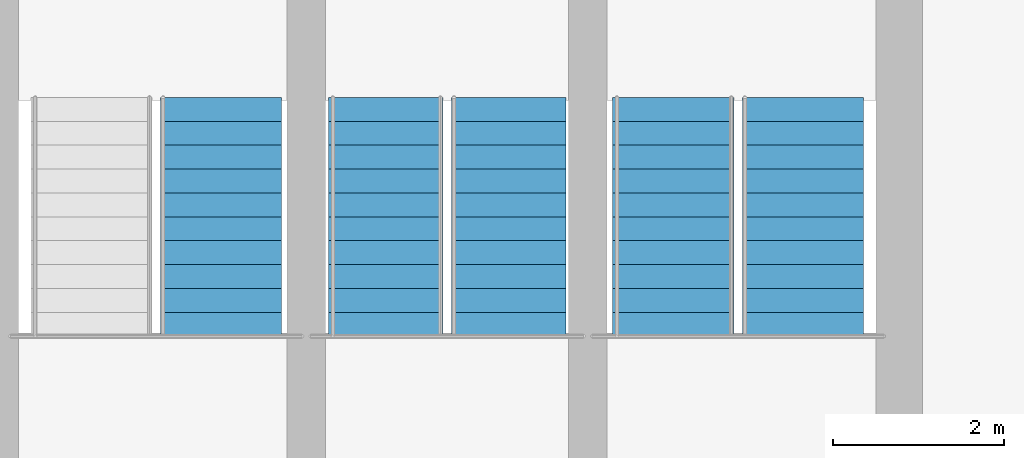
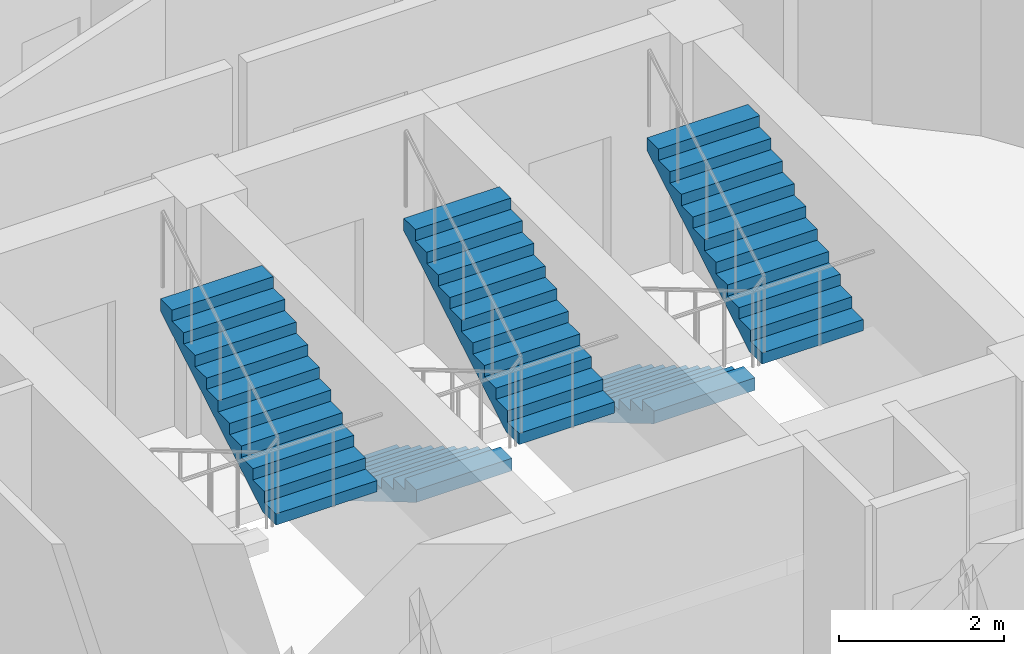
# One storey, part 26 of 27: 5 stair flights, 3 elements without a shape of their own.
"""IFC4 building model written with IfcOpenShell, lengths in metres."""

from ifc_helpers import new_model, si_unit, direction, frame, origin, place, context, subcontext, project, spatial, polyline, outline, extrude, material, type_object, element, aggregate, save


model = new_model("IFC4")

# Units and contexts
model_context = context("Model", 3, precision=1e-05, world=origin(), true_north=direction((0.0, 1.0)))
body_context = subcontext(model_context, "Body", "Model", "MODEL_VIEW")
ifc_project = project(units=[si_unit("LENGTHUNIT", "METRE"), si_unit("AREAUNIT", "SQUARE_METRE"), si_unit("VOLUMEUNIT", "CUBIC_METRE"), si_unit("PLANEANGLEUNIT", "RADIAN"), si_unit("MASSUNIT", "GRAM", prefix="KILO")], contexts=[model_context])

# Site, building, storey
site_placement = place(None, origin())
site = spatial("IfcSite", under=ifc_project, at=site_placement, CompositionType="ELEMENT")
building_placement = place(site_placement, origin())
building = spatial("IfcBuilding", under=site, at=building_placement, Name="Nuhasar Tower", CompositionType="ELEMENT")
storey_placement = place(building_placement, frame((0.0, 0.0, 241.0)))
storey = spatial("IfcBuildingStorey", under=building, at=storey_placement, Name="L59", CompositionType="ELEMENT", Elevation=241.0)

# Stair, stair flight
ifc_material = material(Name="Concrete C45/55", Category="concrete")
stair_type_1 = type_object("IfcStairType", Name="STR-ST-01-2F-22R-1659", PredefinedType="HALF_TURN_STAIR", material=ifc_material)
stair_1_placement = place(storey_placement, origin())
stair_1 = element("IfcStair", 1, at=stair_1_placement, inside=storey, type_object=stair_type_1, Name="L59 Exit Stair ST-01", PredefinedType="HALF_TURN_STAIR")
stair_flight_type_1 = type_object("IfcStairFlightType", Name="SFL-ST-01-11R-1659", PredefinedType="STRAIGHT", material=ifc_material)
stair_flight_1_placement = place(storey_placement, frame((36.35009765625, 32.485107421875, 1.824951171875), z_axis=(0.0, 0.0, 1.0), x_axis=(0.0, 1.0, 0.0)))
stair_flight_1 = element("IfcStairFlight", 2, at=stair_flight_1_placement, type_object=stair_flight_type_1, Name="ST-01 flight 2", NumberOfRisers=11, NumberOfTreads=10, PredefinedType="STRAIGHT", RiserHeight=0.165909, TreadLength=0.28, context=body_context, shape_type="SweptSolid", body=[
    extrude(outline(polyline([(0.0, 0.0), (0.0, 0.166015625), (0.280029296875, 0.166015625), (0.280029296875, 0.331787109375), (0.56005859375, 0.331787109375), (0.56005859375, 0.497802734375), (0.840087890625, 0.497802734375), (0.840087890625, 0.66357421875), (1.1201171875, 0.66357421875), (1.1201171875, 0.82958984375), (1.39990234375, 0.82958984375), (1.39990234375, 0.995361328125), (1.679931640625, 0.995361328125), (1.679931640625, 1.161376953125), (1.9599609375, 1.161376953125), (1.9599609375, 1.327392578125), (2.239990234375, 1.327392578125), (2.239990234375, 1.4931640625), (2.52001953125, 1.4931640625), (2.52001953125, 1.6591796875), (2.800048828125, 1.6591796875), (2.800048828125, 1.824951171875), (2.800048828125, 1.47314453125), (0.313720703125, 0.0), (0.0, 0.0)])), frame((0.0, 0.7099609375, 0.0), z_axis=(0.0, -1.0, 0.0), x_axis=(1.0, 0.0, 0.0)), (0.0, 0.0, 1.0), 1.419921875),
])
aggregate(stair_1, [stair_flight_1])

# Stair, stair flights
stair_type_2 = type_object("IfcStairType", Name="STR-ST-02-2F-22R-1659", PredefinedType="HALF_TURN_STAIR", material=ifc_material)
stair_2_placement = place(storey_placement, origin())
stair_2 = element("IfcStair", 3, at=stair_2_placement, inside=storey, type_object=stair_type_2, Name="L59 Exit Stair ST-02", PredefinedType="HALF_TURN_STAIR")
stair_flight_type_2 = type_object("IfcStairFlightType", Name="SFL-ST-02-11R-1659", PredefinedType="STRAIGHT", material=ifc_material)
stair_flight_2_placement = place(storey_placement, frame((41.64990234375, 35.284912109375, 0.0), z_axis=(0.0, 0.0, 1.0), x_axis=(0.0, -1.0, 0.0)))
stair_flight_2 = element("IfcStairFlight", 4, at=stair_flight_2_placement, type_object=stair_flight_type_2, Name="ST-02 flight 1", NumberOfRisers=11, NumberOfTreads=10, PredefinedType="STRAIGHT", RiserHeight=0.165909, TreadLength=0.28, context=body_context, shape_type="SweptSolid", body=[
    extrude(outline(polyline([(0.0, 0.0), (0.0, 0.166015625), (0.280029296875, 0.166015625), (0.280029296875, 0.331787109375), (0.56005859375, 0.331787109375), (0.56005859375, 0.497802734375), (0.840087890625, 0.497802734375), (0.840087890625, 0.66357421875), (1.1201171875, 0.66357421875), (1.1201171875, 0.82958984375), (1.39990234375, 0.82958984375), (1.39990234375, 0.995361328125), (1.679931640625, 0.995361328125), (1.679931640625, 1.161376953125), (1.9599609375, 1.161376953125), (1.9599609375, 1.327392578125), (2.239990234375, 1.327392578125), (2.239990234375, 1.4931640625), (2.52001953125, 1.4931640625), (2.52001953125, 1.6591796875), (2.800048828125, 1.6591796875), (2.800048828125, 1.824951171875), (2.800048828125, 1.47314453125), (0.313720703125, 0.0), (0.0, 0.0)])), frame((0.0, 0.7099609375, 0.0), z_axis=(0.0, -1.0, 0.0), x_axis=(1.0, 0.0, 0.0)), (0.0, 0.0, 1.0), 1.419921875),
])
stair_flight_3_placement = place(storey_placement, frame((43.169921875, 32.485107421875, 1.824951171875), z_axis=(0.0, 0.0, 1.0), x_axis=(0.0, 1.0, 0.0)))
stair_flight_3 = element("IfcStairFlight", 5, at=stair_flight_3_placement, type_object=stair_flight_type_2, Name="ST-02 flight 2", NumberOfRisers=11, NumberOfTreads=10, PredefinedType="STRAIGHT", RiserHeight=0.165909, TreadLength=0.28, context=body_context, shape_type="SweptSolid", body=[
    extrude(outline(polyline([(0.0, 0.0), (0.0, 0.166015625), (0.280029296875, 0.166015625), (0.280029296875, 0.331787109375), (0.56005859375, 0.331787109375), (0.56005859375, 0.497802734375), (0.840087890625, 0.497802734375), (0.840087890625, 0.66357421875), (1.1201171875, 0.66357421875), (1.1201171875, 0.82958984375), (1.39990234375, 0.82958984375), (1.39990234375, 0.995361328125), (1.679931640625, 0.995361328125), (1.679931640625, 1.161376953125), (1.9599609375, 1.161376953125), (1.9599609375, 1.327392578125), (2.239990234375, 1.327392578125), (2.239990234375, 1.4931640625), (2.52001953125, 1.4931640625), (2.52001953125, 1.6591796875), (2.800048828125, 1.6591796875), (2.800048828125, 1.824951171875), (2.800048828125, 1.47314453125), (0.313720703125, 0.0), (0.0, 0.0)])), frame((0.0, 0.7099609375, 0.0), z_axis=(0.0, -1.0, 0.0), x_axis=(1.0, 0.0, 0.0)), (0.0, 0.0, 1.0), 1.419921875),
])
aggregate(stair_2, [stair_flight_2, stair_flight_3])

stair_type_3 = type_object("IfcStairType", Name="STR-ST-03-2F-22R-1659", PredefinedType="HALF_TURN_STAIR", material=ifc_material)
stair_3_placement = place(storey_placement, origin())
stair_3 = element("IfcStair", 6, at=stair_3_placement, inside=storey, type_object=stair_type_3, Name="L59 Exit Stair ST-03", PredefinedType="HALF_TURN_STAIR")
stair_flight_type_3 = type_object("IfcStairFlightType", Name="SFL-ST-03-11R-1659", PredefinedType="STRAIGHT", material=ifc_material)
stair_flight_4_placement = place(storey_placement, frame((38.280029296875, 35.284912109375, 0.0), z_axis=(0.0, 0.0, 1.0), x_axis=(0.0, -1.0, 0.0)))
stair_flight_4 = element("IfcStairFlight", 7, at=stair_flight_4_placement, type_object=stair_flight_type_3, Name="ST-03 flight 1", NumberOfRisers=11, NumberOfTreads=10, PredefinedType="STRAIGHT", RiserHeight=0.165909, TreadLength=0.28, context=body_context, shape_type="SweptSolid", body=[
    extrude(outline(polyline([(0.0, 0.0), (0.0, 0.166015625), (0.280029296875, 0.166015625), (0.280029296875, 0.331787109375), (0.56005859375, 0.331787109375), (0.56005859375, 0.497802734375), (0.840087890625, 0.497802734375), (0.840087890625, 0.66357421875), (1.1201171875, 0.66357421875), (1.1201171875, 0.82958984375), (1.39990234375, 0.82958984375), (1.39990234375, 0.995361328125), (1.679931640625, 0.995361328125), (1.679931640625, 1.161376953125), (1.9599609375, 1.161376953125), (1.9599609375, 1.327392578125), (2.239990234375, 1.327392578125), (2.239990234375, 1.4931640625), (2.52001953125, 1.4931640625), (2.52001953125, 1.6591796875), (2.800048828125, 1.6591796875), (2.800048828125, 1.824951171875), (2.800048828125, 1.47314453125), (0.313720703125, 0.0), (0.0, 0.0)])), frame((0.0, 0.669921875, 0.0), z_axis=(0.0, -1.0, 0.0), x_axis=(1.0, 0.0, 0.0)), (0.0, 0.0, 1.0), 1.340087890625),
])
stair_flight_5_placement = place(storey_placement, frame((39.719970703125, 32.485107421875, 1.824951171875), z_axis=(0.0, 0.0, 1.0), x_axis=(0.0, 1.0, 0.0)))
stair_flight_5 = element("IfcStairFlight", 8, at=stair_flight_5_placement, type_object=stair_flight_type_3, Name="ST-03 flight 2", NumberOfRisers=11, NumberOfTreads=10, PredefinedType="STRAIGHT", RiserHeight=0.165909, TreadLength=0.28, context=body_context, shape_type="SweptSolid", body=[
    extrude(outline(polyline([(0.0, 0.0), (0.0, 0.166015625), (0.280029296875, 0.166015625), (0.280029296875, 0.331787109375), (0.56005859375, 0.331787109375), (0.56005859375, 0.497802734375), (0.840087890625, 0.497802734375), (0.840087890625, 0.66357421875), (1.1201171875, 0.66357421875), (1.1201171875, 0.82958984375), (1.39990234375, 0.82958984375), (1.39990234375, 0.995361328125), (1.679931640625, 0.995361328125), (1.679931640625, 1.161376953125), (1.9599609375, 1.161376953125), (1.9599609375, 1.327392578125), (2.239990234375, 1.327392578125), (2.239990234375, 1.4931640625), (2.52001953125, 1.4931640625), (2.52001953125, 1.6591796875), (2.800048828125, 1.6591796875), (2.800048828125, 1.824951171875), (2.800048828125, 1.47314453125), (0.313720703125, 0.0), (0.0, 0.0)])), frame((0.0, 0.669921875, 0.0), z_axis=(0.0, -1.0, 0.0), x_axis=(1.0, 0.0, 0.0)), (0.0, 0.0, 1.0), 1.340087890625),
])
aggregate(stair_3, [stair_flight_4, stair_flight_5])

save(model, "model.ifc")
